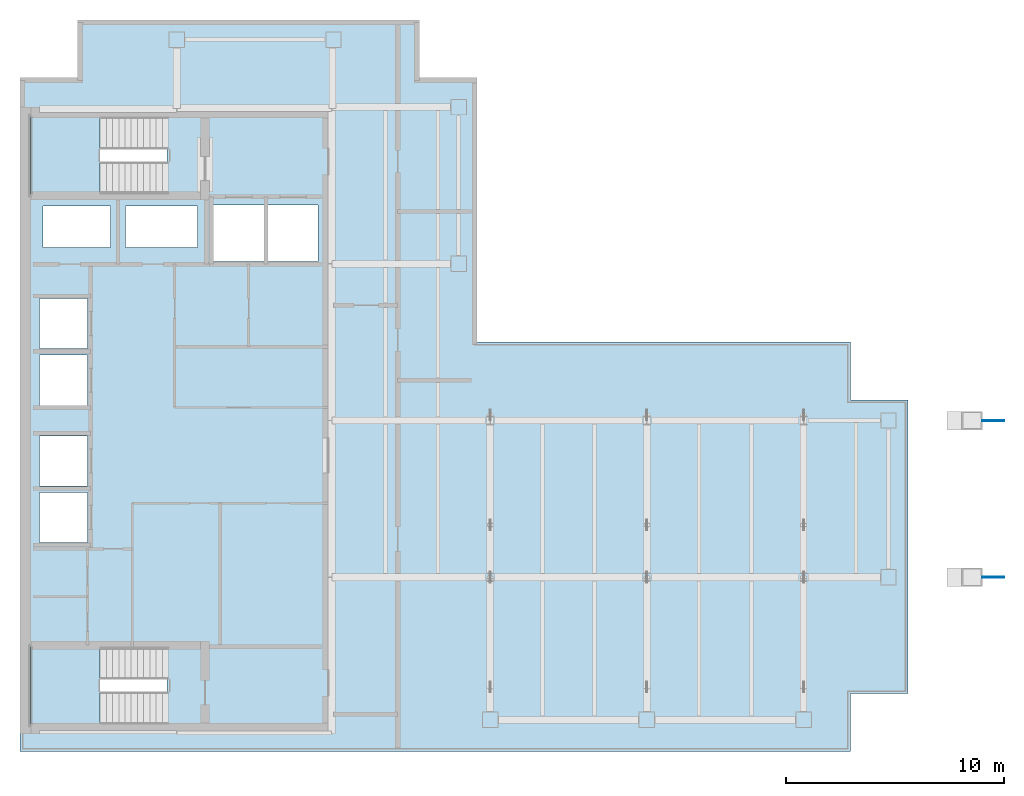
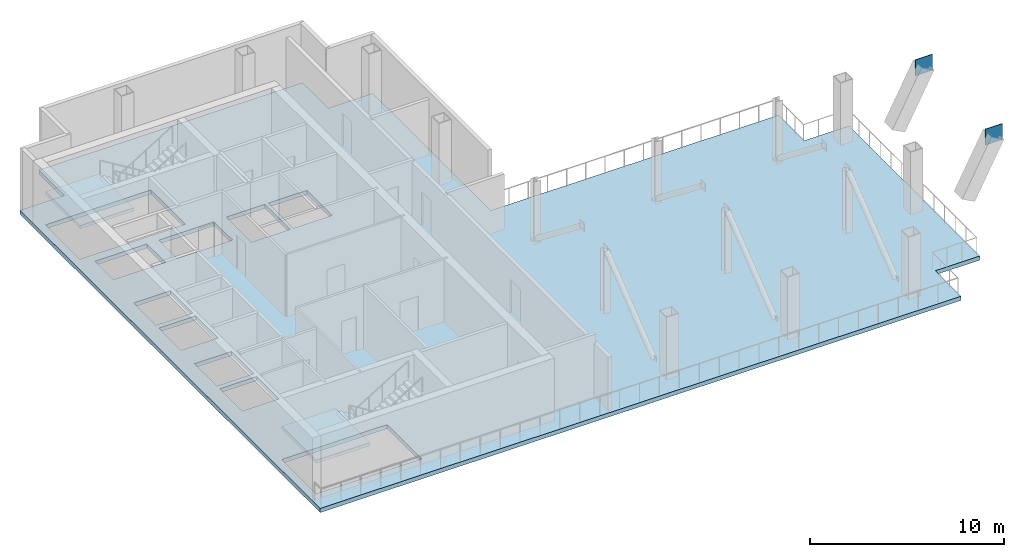
# One storey, part 2 of 5: 3 slabs, 2 plates, 10 openings, 2 elements without a shape of their own.
"""IFC4 building model written with IfcOpenShell, lengths in metres."""

from ifc_helpers import new_model, si_unit, direction, frame, origin, origin_2d, place, context, subcontext, project, spatial, polyline, rectangle, outline, extrude, material, layer, layer_set, type_object, element, aggregate, save


model = new_model("IFC4")

# Units and contexts
model_context = context("Model", 3, precision=1e-05, world=origin(), true_north=direction((0.0, 1.0)))
body_context = subcontext(model_context, "Body", "Model", "MODEL_VIEW")
ifc_project = project(units=[si_unit("LENGTHUNIT", "METRE"), si_unit("AREAUNIT", "SQUARE_METRE"), si_unit("VOLUMEUNIT", "CUBIC_METRE"), si_unit("PLANEANGLEUNIT", "RADIAN"), si_unit("MASSUNIT", "GRAM", prefix="KILO")], contexts=[model_context])

# Site, building, storey
site_placement = place(None, origin())
site = spatial("IfcSite", under=ifc_project, at=site_placement, CompositionType="ELEMENT")
building_placement = place(site_placement, origin())
building = spatial("IfcBuilding", under=site, at=building_placement, Name="Cobrela Telecom Tower", CompositionType="ELEMENT")
storey_placement = place(building_placement, frame((0.0, 0.0, 236.949951171875)))
storey = spatial("IfcBuildingStorey", under=building, at=storey_placement, Name="L61", CompositionType="ELEMENT", Elevation=236.949951171875)

# Plates
ifc_material_1 = material(Name="Steel ASTM A572 Grade 50", Category="steel")
ifc_layer_1 = layer(ifc_material_1, 0.0400390625)
ifc_layer_set_1 = layer_set([ifc_layer_1], Name="Steel ASTM A572 Grade 50")
plate_type = type_object("IfcPlateType", Name="PLT-NODE-ND10", PredefinedType="USERDEFINED", material=ifc_layer_set_1)
for number, where, z_axis, x_axis, name in (
    (1, (44.699951171875, 14.39990234375, 2.5400390625), (0.0, 0.0, 1.0), (1.0, 0.0, 0.0), "Steel node plate PLT-CANT-TIP-1"),
    (2, (44.699951171875, 21.60009765625, 2.5400390625), (0.0, 0.0, 1.0), (1.0, 0.0, 0.0), "Steel node plate PLT-CANT-TIP-2"),
):
    element("IfcPlate", number, at=place(storey_placement, frame(where, z_axis=z_axis, x_axis=x_axis)), inside=storey, type_object=plate_type, Name=name, ObjectType="GUSSET PLATE", PredefinedType="USERDEFINED", context=body_context, shape_type="SweptSolid", body=[
        extrude(rectangle(XDim=1.010009765625, YDim=0.044921875, at=origin_2d()), origin(), (0.0, 0.0, 1.0), 1.010009765625),
    ])

# Slab, openings
ifc_material_2 = material(Name="Concrete C40/50", Category="concrete")
ifc_layer_2 = layer(ifc_material_2, 0.260009765625)
ifc_layer_set_2 = layer_set([ifc_layer_2], Name="Concrete C40/50")
slab_type_1 = type_object("IfcSlabType", Name="SLAB-FLR-260", PredefinedType="FLOOR", material=ifc_layer_set_2)
slab_1_placement = place(storey_placement, frame((0.0, 0.0, -0.260009765625)))
slab_1 = element("IfcSlab", 3, at=slab_1_placement, inside=storey, type_object=slab_type_1, Name="L61 Structural Floor Slab", PredefinedType="FLOOR", context=body_context, shape_type="SweptSolid", body=[
    extrude(outline(polyline([(0.0, 6.39990234375), (38.14990234375, 6.39990234375), (38.14990234375, 9.050048828125), (40.800048828125, 9.050048828125), (40.800048828125, 22.550048828125), (38.14990234375, 22.550048828125), (38.14990234375, 25.199951171875), (21.0, 25.199951171875), (21.0, 37.35009765625), (18.35009765625, 37.35009765625), (18.35009765625, 40.0), (2.64990234375, 40.0), (2.64990234375, 37.35009765625), (0.0, 37.35009765625), (0.0, 6.39990234375)])), origin(), (0.0, 0.0, 1.0), 0.260009765625),
])
opening_1_placement = place(slab_1_placement, frame((0.0, 0.0, -0.02001953125)))
element("IfcOpeningElement", 4, at=opening_1_placement, cuts=slab_1, Name="Slab Shaft Opening SLAB-L61-MAIN.1", PredefinedType="OPENING", context=body_context, shape_type="SweptSolid", body=[
    extrude(outline(polyline([(8.89990234375, 28.89990234375), (11.199951171875, 28.89990234375), (11.199951171875, 31.5), (8.89990234375, 31.5), (8.89990234375, 28.89990234375)])), origin(), (0.0, 0.0, 1.0), 0.300048828125),
])
opening_2_placement = place(slab_1_placement, frame((0.0, 0.0, -0.02001953125)))
element("IfcOpeningElement", 5, at=opening_2_placement, cuts=slab_1, Name="Slab Shaft Opening SLAB-L61-MAIN.2", PredefinedType="OPENING", context=body_context, shape_type="SweptSolid", body=[
    extrude(outline(polyline([(11.39990234375, 28.89990234375), (13.699951171875, 28.89990234375), (13.699951171875, 31.5), (11.39990234375, 31.5), (11.39990234375, 28.89990234375)])), origin(), (0.0, 0.0, 1.0), 0.300048828125),
])
opening_3_placement = place(slab_1_placement, frame((0.0, 0.0, -0.02001953125)))
element("IfcOpeningElement", 6, at=opening_3_placement, cuts=slab_1, Name="Slab Shaft Opening SLAB-L61-MAIN.3", PredefinedType="OPENING", context=body_context, shape_type="SweptSolid", body=[
    extrude(outline(polyline([(0.89990234375, 16.0), (3.10009765625, 16.0), (3.10009765625, 18.300048828125), (0.89990234375, 18.300048828125), (0.89990234375, 16.0)])), origin(), (0.0, 0.0, 1.0), 0.300048828125),
])
opening_4_placement = place(slab_1_placement, frame((0.0, 0.0, -0.02001953125)))
element("IfcOpeningElement", 7, at=opening_4_placement, cuts=slab_1, Name="Slab Shaft Opening SLAB-L61-MAIN.4", PredefinedType="OPENING", context=body_context, shape_type="SweptSolid", body=[
    extrude(outline(polyline([(0.89990234375, 18.60009765625), (3.10009765625, 18.60009765625), (3.10009765625, 20.89990234375), (0.89990234375, 20.89990234375), (0.89990234375, 18.60009765625)])), origin(), (0.0, 0.0, 1.0), 0.300048828125),
])
opening_5_placement = place(slab_1_placement, frame((0.0, 0.0, -0.02001953125)))
element("IfcOpeningElement", 8, at=opening_5_placement, cuts=slab_1, Name="Slab Shaft Opening SLAB-L61-MAIN.5", PredefinedType="OPENING", context=body_context, shape_type="SweptSolid", body=[
    extrude(outline(polyline([(0.89990234375, 22.300048828125), (3.10009765625, 22.300048828125), (3.10009765625, 24.60009765625), (0.89990234375, 24.60009765625), (0.89990234375, 22.300048828125)])), origin(), (0.0, 0.0, 1.0), 0.300048828125),
])
opening_6_placement = place(slab_1_placement, frame((0.0, 0.0, -0.02001953125)))
element("IfcOpeningElement", 9, at=opening_6_placement, cuts=slab_1, Name="Slab Shaft Opening SLAB-L61-MAIN.6", PredefinedType="OPENING", context=body_context, shape_type="SweptSolid", body=[
    extrude(outline(polyline([(0.89990234375, 24.89990234375), (3.10009765625, 24.89990234375), (3.10009765625, 27.199951171875), (0.89990234375, 27.199951171875), (0.89990234375, 24.89990234375)])), origin(), (0.0, 0.0, 1.0), 0.300048828125),
])
opening_7_placement = place(slab_1_placement, frame((0.0, 0.0, -0.02001953125)))
element("IfcOpeningElement", 10, at=opening_7_placement, cuts=slab_1, Name="Slab Shaft Opening SLAB-L61-MAIN.7", PredefinedType="OPENING", context=body_context, shape_type="SweptSolid", body=[
    extrude(outline(polyline([(1.050048828125, 29.550048828125), (4.14990234375, 29.550048828125), (4.14990234375, 31.449951171875), (1.050048828125, 31.449951171875), (1.050048828125, 29.550048828125)])), origin(), (0.0, 0.0, 1.0), 0.300048828125),
])
opening_8_placement = place(slab_1_placement, frame((0.0, 0.0, -0.02001953125)))
element("IfcOpeningElement", 11, at=opening_8_placement, cuts=slab_1, Name="Slab Shaft Opening SLAB-L61-MAIN.8", PredefinedType="OPENING", context=body_context, shape_type="SweptSolid", body=[
    extrude(outline(polyline([(4.85009765625, 29.550048828125), (8.14990234375, 29.550048828125), (8.14990234375, 31.449951171875), (4.85009765625, 31.449951171875), (4.85009765625, 29.550048828125)])), origin(), (0.0, 0.0, 1.0), 0.300048828125),
])
opening_9_placement = place(slab_1_placement, frame((0.0, 0.0, -0.02001953125)))
element("IfcOpeningElement", 12, at=opening_9_placement, cuts=slab_1, Name="Slab Shaft Opening SLAB-L61-MAIN.9", PredefinedType="OPENING", context=body_context, shape_type="SweptSolid", body=[
    extrude(outline(polyline([(6.7548828125, 35.550048828125), (0.47998046875, 35.550048828125), (0.47998046875, 32.0), (6.7548828125, 32.0), (6.7548828125, 35.550048828125)])), origin(), (0.0, 0.0, 1.0), 0.300048828125),
])
opening_10_placement = place(slab_1_placement, frame((0.0, 0.0, -0.02001953125)))
element("IfcOpeningElement", 13, at=opening_10_placement, cuts=slab_1, Name="Slab Shaft Opening SLAB-L61-MAIN.10", PredefinedType="OPENING", context=body_context, shape_type="SweptSolid", body=[
    extrude(outline(polyline([(6.7548828125, 11.199951171875), (0.47998046875, 11.199951171875), (0.47998046875, 7.64990234375), (6.7548828125, 7.64990234375), (6.7548828125, 11.199951171875)])), origin(), (0.0, 0.0, 1.0), 0.300048828125),
])

# Stair, slab
stair_type = type_object("IfcStairType", Name="STAIR-CORE", PredefinedType="HALF_TURN_STAIR", material=ifc_material_2)
stair_1_placement = place(storey_placement, origin())
stair_1 = element("IfcStair", 14, at=stair_1_placement, inside=storey, type_object=stair_type, Name="L61 Smokeproof Exit Stair ST1", PredefinedType="HALF_TURN_STAIR")
ifc_layer_3 = layer(ifc_material_2, 0.199951171875)
ifc_layer_set_3 = layer_set([ifc_layer_3], Name="Concrete C40/50")
slab_type_2 = type_object("IfcSlabType", Name="SLAB-LAND-200", PredefinedType="LANDING", material=ifc_layer_set_3)
slab_2_placement = place(storey_placement, frame((0.0, 0.0, 1.900146484375)))
slab_2 = element("IfcSlab", 15, at=slab_2_placement, type_object=slab_type_2, Name="ST1 landing 1", PredefinedType="LANDING", context=body_context, shape_type="SweptSolid", body=[
    extrude(outline(polyline([(3.68505859375, 35.550048828125), (0.47998046875, 35.550048828125), (0.47998046875, 32.0), (3.68505859375, 32.0), (3.68505859375, 35.550048828125)])), origin(), (0.0, 0.0, 1.0), 0.199951171875),
])
aggregate(stair_1, [slab_2])

stair_2_placement = place(storey_placement, origin())
stair_2 = element("IfcStair", 16, at=stair_2_placement, inside=storey, type_object=stair_type, Name="L61 Smokeproof Exit Stair ST2", PredefinedType="HALF_TURN_STAIR")
slab_3_placement = place(storey_placement, frame((0.0, 0.0, 1.900146484375)))
slab_3 = element("IfcSlab", 17, at=slab_3_placement, type_object=slab_type_2, Name="ST2 landing 1", PredefinedType="LANDING", context=body_context, shape_type="SweptSolid", body=[
    extrude(outline(polyline([(3.68505859375, 11.199951171875), (0.47998046875, 11.199951171875), (0.47998046875, 7.64990234375), (3.68505859375, 7.64990234375), (3.68505859375, 11.199951171875)])), origin(), (0.0, 0.0, 1.0), 0.199951171875),
])
aggregate(stair_2, [slab_3])

save(model, "model.ifc")
